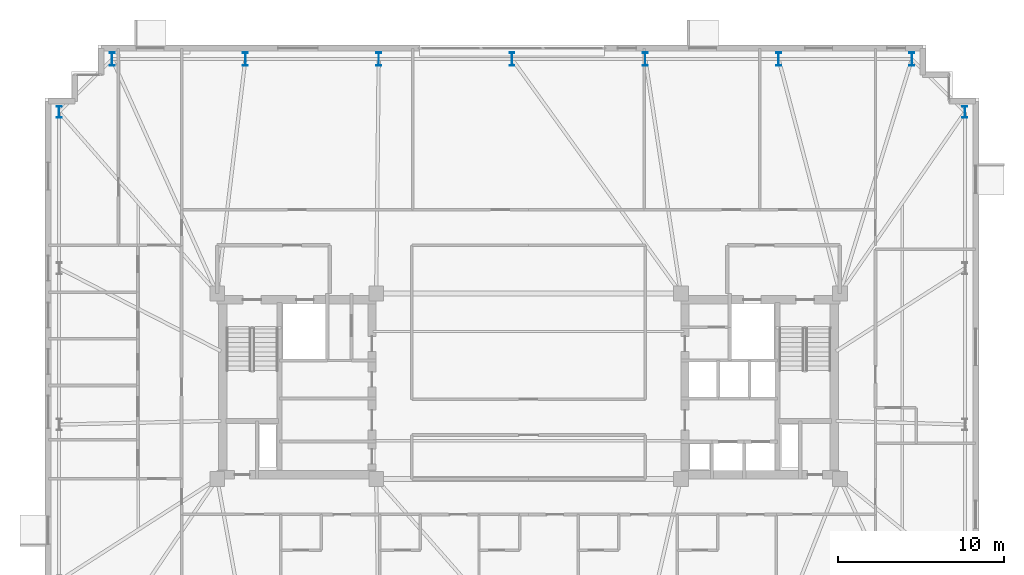
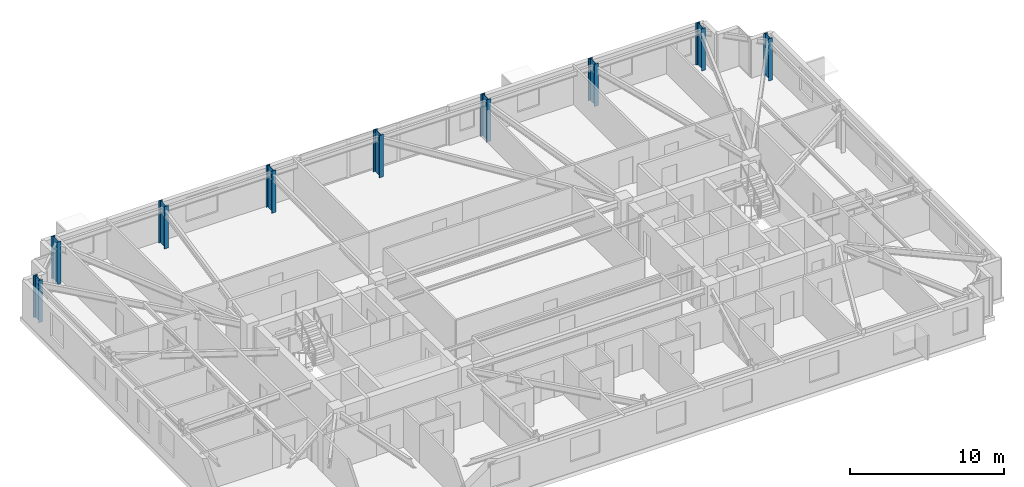
# One storey, part 2 of 18: 9 columns.
"""IFC4 building model written with IfcOpenShell, lengths in metres."""

from ifc_helpers import new_model, si_unit, direction, frame, origin, origin_2d, place, context, subcontext, project, spatial, i_section, extrude, material, material_profile, profile_set, type_object, element, save


model = new_model("IFC4")

# Units and contexts
model_context = context("Model", 3, precision=1e-05, world=origin(), true_north=direction((0.0, 1.0)))
body_context = subcontext(model_context, "Body", "Model", "MODEL_VIEW")
ifc_project = project(units=[si_unit("LENGTHUNIT", "METRE"), si_unit("AREAUNIT", "SQUARE_METRE"), si_unit("VOLUMEUNIT", "CUBIC_METRE"), si_unit("PLANEANGLEUNIT", "RADIAN"), si_unit("MASSUNIT", "GRAM", prefix="KILO")], contexts=[model_context])

# Site, building, storey
site_placement = place(None, origin())
site = spatial("IfcSite", under=ifc_project, at=site_placement, CompositionType="ELEMENT")
building_placement = place(site_placement, origin())
building = spatial("IfcBuilding", under=site, at=building_placement, Name="Qobustan Lattice House", CompositionType="ELEMENT")
storey_placement = place(building_placement, frame((0.0, 0.0, 151.10009765625)))
storey = spatial("IfcBuildingStorey", under=building, at=storey_placement, Name="L42", CompositionType="ELEMENT", Elevation=151.10009765625)

# Columns
ifc_material_1 = material(Name="Steel S355", Category="steel")
ifc_material_profile_1 = material_profile(ifc_material_1, i_section(OverallWidth=0.300048828125, OverallDepth=0.699951171875, WebThickness=0.01708984375, FlangeThickness=0.031982421875, FilletRadius=0.027099609375, at=origin_2d()), Name="HEB700")
ifc_profile_set_1 = profile_set([ifc_material_profile_1], Name="Steel S355")
column_type_1 = type_object("IfcColumnType", Name="COL-ST-HEB700", PredefinedType="COLUMN", material=ifc_profile_set_1)
for number, where, z_axis, x_axis, name in (
    (1, (26.35009765625, 16.550048828125, 0.0), (0.0, 0.0, 1.0), (1.0, 0.0, 0.0), "L42 B3 perimeter column E4"),
    (2, (-28.35009765625, 16.550048828125, 0.0), (0.0, 0.0, 1.0), (1.0, 0.0, 0.0), "L42 B3 perimeter column W1"),
):
    element("IfcColumn", number, at=place(storey_placement, frame(where, z_axis=z_axis, x_axis=x_axis)), inside=storey, type_object=column_type_1, Name=name, PredefinedType="COLUMN", context=body_context, shape_type="SweptSolid", body=[
        extrude(i_section(OverallWidth=0.300048828125, OverallDepth=0.699951171875, WebThickness=0.01708984375, FlangeThickness=0.031982421875, FilletRadius=0.027099609375, at=origin_2d()), origin(), (0.0, 0.0, 1.0), 3.349853515625),
    ])
ifc_material_2 = material(Name="Steel S355", Category="steel")
ifc_material_profile_2 = material_profile(ifc_material_2, i_section(OverallWidth=0.300048828125, OverallDepth=0.800048828125, WebThickness=0.017578125, FlangeThickness=0.032958984375, FilletRadius=0.030029296875, at=origin_2d()), Name="HEB800")
ifc_profile_set_2 = profile_set([ifc_material_profile_2], Name="Steel S355")
column_type_2 = type_object("IfcColumnType", Name="COL-ST-HEB800", PredefinedType="COLUMN", material=ifc_profile_set_2)
for number, where, z_axis, x_axis, name in (
    (3, (23.14990234375, 19.75, 0.0), (0.0, 0.0, 1.0), (1.0, 0.0, 0.0), "L42 B3 perimeter column N1"),
    (4, (15.10009765625, 19.75, 0.0), (0.0, 0.0, 1.0), (1.0, 0.0, 0.0), "L42 B3 perimeter column N2"),
    (5, (7.050048828125, 19.75, 0.0), (0.0, 0.0, 1.0), (1.0, 0.0, 0.0), "L42 B3 perimeter column N3"),
    (6, (-1.0, 19.75, 0.0), (0.0, 0.0, 1.0), (1.0, 0.0, 0.0), "L42 B3 perimeter column N4"),
    (7, (-9.050048828125, 19.75, 0.0), (0.0, 0.0, 1.0), (1.0, 0.0, 0.0), "L42 B3 perimeter column N5"),
    (8, (-17.10009765625, 19.75, 0.0), (0.0, 0.0, 1.0), (1.0, 0.0, 0.0), "L42 B3 perimeter column N6"),
    (9, (-25.14990234375, 19.75, 0.0), (0.0, 0.0, 1.0), (1.0, 0.0, 0.0), "L42 B3 perimeter column N7"),
):
    element("IfcColumn", number, at=place(storey_placement, frame(where, z_axis=z_axis, x_axis=x_axis)), inside=storey, type_object=column_type_2, Name=name, PredefinedType="COLUMN", context=body_context, shape_type="SweptSolid", body=[
        extrude(i_section(OverallWidth=0.300048828125, OverallDepth=0.800048828125, WebThickness=0.017578125, FlangeThickness=0.032958984375, FilletRadius=0.030029296875, at=origin_2d()), origin(), (0.0, 0.0, 1.0), 3.349853515625),
    ])

save(model, "model.ifc")
